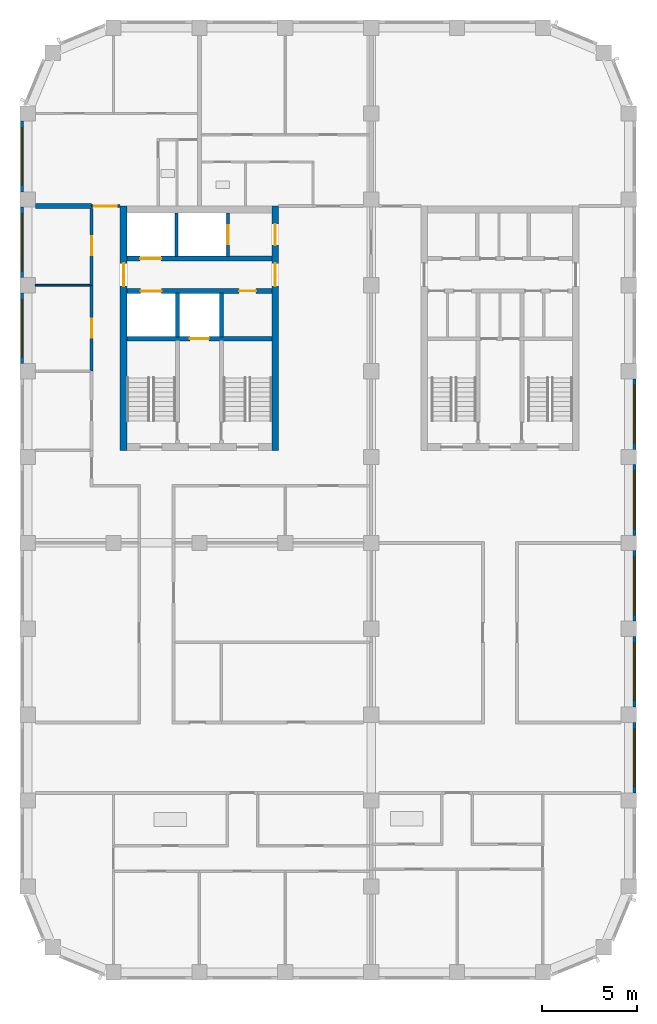
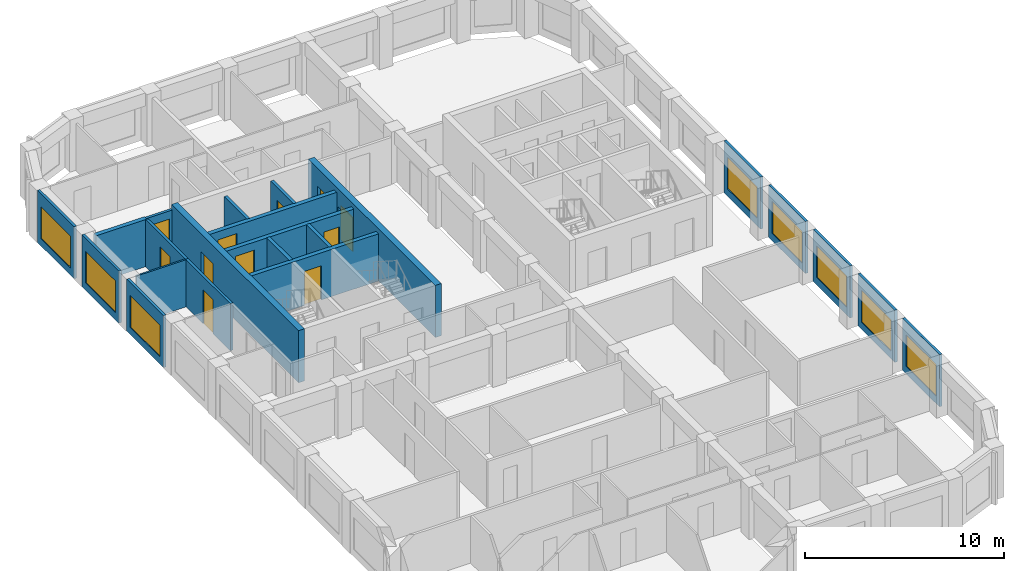
# One storey, part 5 of 10: 22 walls, 11 doors, 8 windows, 19 openings.
"""IFC4 building model written with IfcOpenShell, lengths in metres."""

from ifc_helpers import new_model, si_unit, direction, frame, frame_2d, origin, place, context, subcontext, project, spatial, rectangle, extrude, material, layer, layer_set, type_object, element, fill, save


model = new_model("IFC4")

# Units and contexts
model_context = context("Model", 3, precision=1e-05, world=origin(), true_north=direction((0.0, 1.0)))
body_context = subcontext(model_context, "Body", "Model", "MODEL_VIEW")
ifc_project = project(units=[si_unit("LENGTHUNIT", "METRE"), si_unit("AREAUNIT", "SQUARE_METRE"), si_unit("VOLUMEUNIT", "CUBIC_METRE"), si_unit("PLANEANGLEUNIT", "RADIAN"), si_unit("MASSUNIT", "GRAM", prefix="KILO")], contexts=[model_context])

# Site, building, storey
site_placement = place(None, origin())
site = spatial("IfcSite", under=ifc_project, at=site_placement, CompositionType="ELEMENT")
building_placement = place(site_placement, origin())
building = spatial("IfcBuilding", under=site, at=building_placement, Name="Girih Gate Residences", CompositionType="ELEMENT")
storey_placement = place(building_placement, frame((0.0, 0.0, 229.294921875)))
storey = spatial("IfcBuildingStorey", under=building, at=storey_placement, Name="L64", CompositionType="ELEMENT", Elevation=229.294921875)

# Wall
ifc_material_1 = material(Name="Gypsum board on steel studs", Category="steel")
ifc_layer_1 = layer(ifc_material_1, 0.25)
ifc_layer_set_1 = layer_set([ifc_layer_1], Name="Acoustic separating wall 250 mm")
wall_type_1 = type_object("IfcWallType", Name="Acoustic separating wall 250 mm", PredefinedType="PARTITIONING", material=ifc_layer_set_1)
wall_1_placement = place(storey_placement, frame((0.39990234375, 40.14990234375, 0.0), z_axis=(0.0, 0.0, 1.0), x_axis=(1.0, 0.0, 0.0)))
element("IfcWall", 1, at=wall_1_placement, inside=storey, type_object=wall_type_1, Name="L64 partition", PredefinedType="PARTITIONING", context=body_context, shape_type="SweptSolid", body=[
    extrude(rectangle(XDim=2.9501953125, YDim=0.25, at=frame_2d((1.47509765625, 0.0))), origin(), (0.0, 0.0, 1.0), 2.900146484375),
])

# Wall, opening, door
ifc_layer_2 = layer(ifc_material_1, 0.14990234375)
ifc_layer_set_2 = layer_set([ifc_layer_2], Name="Compartment wall 150 mm")
wall_type_2 = type_object("IfcWallType", Name="Compartment wall 150 mm", PredefinedType="PARTITIONING", material=ifc_layer_set_2)
wall_2_placement = place(storey_placement, frame((3.35009765625, 40.14990234375, 0.0), z_axis=(0.0, 0.0, 1.0), x_axis=(1.0, 0.0, 0.0)))
wall_2 = element("IfcWall", 2, at=wall_2_placement, inside=storey, type_object=wall_type_2, Name="L64 partition", PredefinedType="PARTITIONING", context=body_context, shape_type="SweptSolid", body=[
    extrude(rectangle(XDim=1.5, YDim=0.14990234375, at=frame_2d((0.75, 0.0))), origin(), (0.0, 0.0, 1.0), 2.900146484375),
])
opening_1_placement = place(wall_2_placement, frame((0.1298828125, 0.0, 0.0)))
opening_1 = element("IfcOpeningElement", 3, at=opening_1_placement, cuts=wall_2, Name="Opening A64-012", PredefinedType="OPENING", context=body_context, shape_type="SweptSolid", body=[
    extrude(rectangle(XDim=1.199951171875, YDim=2.39990234375, at=frame_2d((0.60009765625, 1.199951171875))), frame((0.0, 0.0849609375, 0.0), z_axis=(0.0, -1.0, 0.0), x_axis=(1.0, 0.0, 0.0)), (0.0, 0.0, 1.0), 0.169921875),
])
ifc_material_2 = material(Name="Timber, fire-rated core", Category="wood")
door_type_1 = type_object("IfcDoorType", Name="Villa entrance door 1200x2400 FD30S", OperationType="NOTDEFINED", PredefinedType="DOOR", material=ifc_material_2)
door_1_placement = place(opening_1_placement, origin())
door_1 = element("IfcDoor", 4, at=door_1_placement, inside=storey, type_object=door_type_1, Name="Door A64-012", OperationType="SINGLE_SWING_LEFT", OverallHeight=2.39990234375, OverallWidth=1.199951171875, PredefinedType="DOOR", context=body_context, shape_type="SweptSolid", body=[
    extrude(rectangle(XDim=1.199951171875, YDim=2.39990234375, at=frame_2d((0.60009765625, 1.199951171875))), frame((0.0, 0.02490234375, 0.0), z_axis=(0.0, -1.0, 0.0), x_axis=(1.0, 0.0, 0.0)), (0.0, 0.0, 1.0), 0.050048828125),
])
fill(opening_1, door_1)

wall_3_placement = place(storey_placement, frame((3.35009765625, 31.5, 0.0), z_axis=(0.0, 0.0, 1.0), x_axis=(0.0, 1.0, 0.0)))
wall_3 = element("IfcWall", 5, at=wall_3_placement, inside=storey, type_object=wall_type_2, Name="L64 partition", PredefinedType="PARTITIONING", context=body_context, shape_type="SweptSolid", body=[
    extrude(rectangle(XDim=4.5, YDim=0.14990234375, at=frame_2d((2.25, 0.0))), origin(), (0.0, 0.0, 1.0), 2.900146484375),
])
opening_2_placement = place(wall_3_placement, frame((1.75, 0.0, 0.0)))
opening_2 = element("IfcOpeningElement", 6, at=opening_2_placement, cuts=wall_3, Name="Opening A64-035", PredefinedType="OPENING", context=body_context, shape_type="SweptSolid", body=[
    extrude(rectangle(XDim=1.0, YDim=2.10009765625, at=frame_2d((0.5, 1.050048828125))), frame((0.0, 0.0849609375, 0.0), z_axis=(0.0, -1.0, 0.0), x_axis=(1.0, 0.0, 0.0)), (0.0, 0.0, 1.0), 0.169921875),
])
door_type_2 = type_object("IfcDoorType", Name="Amenity room door 1000x2100 FD30S", OperationType="NOTDEFINED", PredefinedType="DOOR", material=ifc_material_2)
door_2_placement = place(opening_2_placement, origin())
door_2 = element("IfcDoor", 7, at=door_2_placement, inside=storey, type_object=door_type_2, Name="Door A64-035", OperationType="SINGLE_SWING_RIGHT", OverallHeight=2.10009765625, OverallWidth=1.0, PredefinedType="DOOR", context=body_context, shape_type="SweptSolid", body=[
    extrude(rectangle(XDim=1.0, YDim=2.10009765625, at=frame_2d((0.5, 1.050048828125))), frame((0.0, 0.02490234375, 0.0), z_axis=(0.0, -1.0, 0.0), x_axis=(1.0, 0.0, 0.0)), (0.0, 0.0, 1.0), 0.050048828125),
])
fill(opening_2, door_2)

wall_4_placement = place(storey_placement, frame((3.35009765625, 36.0, 0.0), z_axis=(0.0, 0.0, 1.0), x_axis=(0.0, 1.0, 0.0)))
wall_4 = element("IfcWall", 8, at=wall_4_placement, inside=storey, type_object=wall_type_2, Name="L64 partition", PredefinedType="PARTITIONING", context=body_context, shape_type="SweptSolid", body=[
    extrude(rectangle(XDim=4.02490234375, YDim=0.14990234375, at=frame_2d((2.012451171875, 0.0))), origin(), (0.0, 0.0, 1.0), 2.900146484375),
])
opening_3_placement = place(wall_4_placement, frame((1.574951171875, 0.0, 0.0)))
opening_3 = element("IfcOpeningElement", 9, at=opening_3_placement, cuts=wall_4, Name="Opening A64-036", PredefinedType="OPENING", context=body_context, shape_type="SweptSolid", body=[
    extrude(rectangle(XDim=1.0, YDim=2.10009765625, at=frame_2d((0.5, 1.050048828125))), frame((0.0, 0.0849609375, 0.0), z_axis=(0.0, -1.0, 0.0), x_axis=(1.0, 0.0, 0.0)), (0.0, 0.0, 1.0), 0.169921875),
])
door_3_placement = place(opening_3_placement, origin())
door_3 = element("IfcDoor", 10, at=door_3_placement, inside=storey, type_object=door_type_2, Name="Door A64-036", OperationType="SINGLE_SWING_RIGHT", OverallHeight=2.10009765625, OverallWidth=1.0, PredefinedType="DOOR", context=body_context, shape_type="SweptSolid", body=[
    extrude(rectangle(XDim=1.0, YDim=2.10009765625, at=frame_2d((0.5, 1.050048828125))), frame((0.0, 0.02490234375, 0.0), z_axis=(0.0, -1.0, 0.0), x_axis=(1.0, 0.0, 0.0)), (0.0, 0.0, 1.0), 0.050048828125),
])
fill(opening_3, door_3)

ifc_material_3 = material(Name="Concrete C60/75", Category="concrete")
ifc_layer_3 = layer(ifc_material_3, 0.35009765625)
ifc_layer_set_3 = layer_set([ifc_layer_3], Name="Core wall RC 350 Concrete C60/75")
wall_type_3 = type_object("IfcWallType", Name="Core wall RC 350 Concrete C60/75", PredefinedType="SOLIDWALL", material=ifc_layer_set_3)
wall_5_placement = place(storey_placement, frame((5.02490234375, 27.35009765625, 0.0), z_axis=(0.0, 0.0, 1.0), x_axis=(0.0, 1.0, 0.0)))
wall_5 = element("IfcWall", 11, at=wall_5_placement, inside=storey, type_object=wall_type_3, Name="Core wall W-W L64", PredefinedType="SOLIDWALL", context=body_context, shape_type="SweptSolid", body=[
    extrude(rectangle(XDim=12.7998046875, YDim=0.35009765625, at=frame_2d((6.39990234375, 0.0))), origin(), (0.0, 0.0, 1.0), 3.2001953125),
])
opening_4_placement = place(wall_5_placement, frame((8.60009765625, 0.0, 0.0)))
opening_4 = element("IfcOpeningElement", 12, at=opening_4_placement, cuts=wall_5, Name="Opening D-L64-W-012", PredefinedType="OPENING", context=body_context, shape_type="SweptSolid", body=[
    extrude(rectangle(XDim=1.199951171875, YDim=2.10009765625, at=frame_2d((0.60009765625, 1.050048828125))), frame((0.0, 0.18505859375, 0.0), z_axis=(0.0, -1.0, 0.0), x_axis=(1.0, 0.0, 0.0)), (0.0, 0.0, 1.0), 0.3701171875),
])
ifc_material_4 = material(Name="Painted steel, fire-resisting", Category="steel")
door_type_3 = type_object("IfcDoorType", Name="Fire door 1200x2100", OperationType="SINGLE_SWING_LEFT", PredefinedType="DOOR", material=ifc_material_4)
door_4_placement = place(opening_4_placement, origin())
door_4 = element("IfcDoor", 13, at=door_4_placement, inside=storey, type_object=door_type_3, Name="L64 W core door ll-w", OperationType="SINGLE_SWING_LEFT", OverallHeight=2.10009765625, OverallWidth=1.199951171875, PredefinedType="DOOR", context=body_context, shape_type="SweptSolid", body=[
    extrude(rectangle(XDim=1.199951171875, YDim=2.10009765625, at=frame_2d((0.60009765625, 1.050048828125))), frame((0.0, 0.02490234375, 0.0), z_axis=(0.0, -1.0, 0.0), x_axis=(1.0, 0.0, 0.0)), (0.0, 0.0, 1.0), 0.050048828125),
])
fill(opening_4, door_4)

# Wall, openings, doors
wall_6_placement = place(storey_placement, frame((12.97509765625, 27.35009765625, 0.0), z_axis=(0.0, 0.0, 1.0), x_axis=(0.0, 1.0, 0.0)))
wall_6 = element("IfcWall", 14, at=wall_6_placement, inside=storey, type_object=wall_type_3, Name="Core wall W-E L64", PredefinedType="SOLIDWALL", context=body_context, shape_type="SweptSolid", body=[
    extrude(rectangle(XDim=12.7998046875, YDim=0.35009765625, at=frame_2d((6.39990234375, 0.0))), origin(), (0.0, 0.0, 1.0), 3.2001953125),
])
opening_5_placement = place(wall_6_placement, frame((10.75, 0.0, 0.0)))
opening_5 = element("IfcOpeningElement", 15, at=opening_5_placement, cuts=wall_6, Name="Opening D-L64-W-011", PredefinedType="OPENING", context=body_context, shape_type="SweptSolid", body=[
    extrude(rectangle(XDim=1.10009765625, YDim=2.10009765625, at=frame_2d((0.550048828125, 1.050048828125))), frame((0.0, 0.18505859375, 0.0), z_axis=(0.0, -1.0, 0.0), x_axis=(1.0, 0.0, 0.0)), (0.0, 0.0, 1.0), 0.3701171875),
])
opening_6_placement = place(wall_6_placement, frame((8.60009765625, 0.0, 0.0)))
opening_6 = element("IfcOpeningElement", 16, at=opening_6_placement, cuts=wall_6, Name="Opening D-L64-W-013", PredefinedType="OPENING", context=body_context, shape_type="SweptSolid", body=[
    extrude(rectangle(XDim=1.199951171875, YDim=2.10009765625, at=frame_2d((0.60009765625, 1.050048828125))), frame((0.0, 0.18505859375, 0.0), z_axis=(0.0, -1.0, 0.0), x_axis=(1.0, 0.0, 0.0)), (0.0, 0.0, 1.0), 0.3701171875),
])
door_type_4 = type_object("IfcDoorType", Name="Fire door 1100x2100", OperationType="SINGLE_SWING_LEFT", PredefinedType="DOOR", material=ifc_material_4)
door_5_placement = place(opening_5_placement, origin())
door_5 = element("IfcDoor", 17, at=door_5_placement, inside=storey, type_object=door_type_4, Name="L64 W core door ffl2-e", OperationType="SINGLE_SWING_LEFT", OverallHeight=2.10009765625, OverallWidth=1.10009765625, PredefinedType="DOOR", context=body_context, shape_type="SweptSolid", body=[
    extrude(rectangle(XDim=1.10009765625, YDim=2.10009765625, at=frame_2d((0.550048828125, 1.050048828125))), frame((0.0, 0.02490234375, 0.0), z_axis=(0.0, -1.0, 0.0), x_axis=(1.0, 0.0, 0.0)), (0.0, 0.0, 1.0), 0.050048828125),
])
fill(opening_5, door_5)
door_6_placement = place(opening_6_placement, origin())
door_6 = element("IfcDoor", 18, at=door_6_placement, inside=storey, type_object=door_type_3, Name="L64 W core door ll-e", OperationType="SINGLE_SWING_LEFT", OverallHeight=2.10009765625, OverallWidth=1.199951171875, PredefinedType="DOOR", context=body_context, shape_type="SweptSolid", body=[
    extrude(rectangle(XDim=1.199951171875, YDim=2.10009765625, at=frame_2d((0.60009765625, 1.050048828125))), frame((0.0, 0.02490234375, 0.0), z_axis=(0.0, -1.0, 0.0), x_axis=(1.0, 0.0, 0.0)), (0.0, 0.0, 1.0), 0.050048828125),
])
fill(opening_6, door_6)

# Wall, opening, door
ifc_material_5 = material(Name="Concrete C40/50", Category="concrete")
ifc_layer_4 = layer(ifc_material_5, 0.25)
ifc_layer_set_4 = layer_set([ifc_layer_4], Name="Lift shaft wall 250")
wall_type_4 = type_object("IfcWallType", Name="Lift shaft wall 250", PredefinedType="SOLIDWALL", material=ifc_layer_set_4)
wall_7_placement = place(storey_placement, frame((5.199951171875, 33.199951171875, 0.0), z_axis=(0.0, 0.0, 1.0), x_axis=(1.0, 0.0, 0.0)))
wall_7 = element("IfcWall", 19, at=wall_7_placement, inside=storey, type_object=wall_type_4, Name="L64 W core wall H1", PredefinedType="SOLIDWALL", context=body_context, shape_type="SweptSolid", body=[
    extrude(rectangle(XDim=7.60009765625, YDim=0.25, at=frame_2d((3.800048828125, 0.0))), origin(), (0.0, 0.0, 1.0), 2.900146484375),
])
opening_7_placement = place(wall_7_placement, frame((3.300048828125, 0.0, 0.0)))
opening_7 = element("IfcOpeningElement", 20, at=opening_7_placement, cuts=wall_7, Name="Opening D-L64-W-006", PredefinedType="OPENING", context=body_context, shape_type="SweptSolid", body=[
    extrude(rectangle(XDim=1.0, YDim=2.10009765625, at=frame_2d((0.5, 1.050048828125))), frame((0.0, 0.135009765625, 0.0), z_axis=(0.0, -1.0, 0.0), x_axis=(1.0, 0.0, 0.0)), (0.0, 0.0, 1.0), 0.27001953125),
])
ifc_material_6 = material(Name="Stainless steel, fire-resisting", Category="steel")
door_type_5 = type_object("IfcDoorType", Name="Firefighting lift landing door 1000x2100", OperationType="SLIDING_TO_LEFT", PredefinedType="DOOR", material=ifc_material_6)
door_7_placement = place(opening_7_placement, origin())
door_7 = element("IfcDoor", 21, at=door_7_placement, inside=storey, type_object=door_type_5, Name="L64 lift FF-W landing door", OperationType="SLIDING_TO_LEFT", OverallHeight=2.10009765625, OverallWidth=1.0, PredefinedType="DOOR", context=body_context, shape_type="SweptSolid", body=[
    extrude(rectangle(XDim=1.0, YDim=2.10009765625, at=frame_2d((0.5, 1.050048828125))), frame((0.0, 0.02490234375, 0.0), z_axis=(0.0, -1.0, 0.0), x_axis=(1.0, 0.0, 0.0)), (0.0, 0.0, 1.0), 0.050048828125),
])
fill(opening_7, door_7)

# Wall, openings, doors
wall_8_placement = place(storey_placement, frame((5.199951171875, 35.699951171875, 0.0), z_axis=(0.0, 0.0, 1.0), x_axis=(1.0, 0.0, 0.0)))
wall_8 = element("IfcWall", 22, at=wall_8_placement, inside=storey, type_object=wall_type_4, Name="L64 W core wall H2", PredefinedType="SOLIDWALL", context=body_context, shape_type="SweptSolid", body=[
    extrude(rectangle(XDim=7.60009765625, YDim=0.25, at=frame_2d((3.800048828125, 0.0))), origin(), (0.0, 0.0, 1.0), 2.900146484375),
])
opening_8_placement = place(wall_8_placement, frame((0.72509765625, 0.0, 0.0)))
opening_8 = element("IfcOpeningElement", 23, at=opening_8_placement, cuts=wall_8, Name="Opening D-L64-W-005", PredefinedType="OPENING", context=body_context, shape_type="SweptSolid", body=[
    extrude(rectangle(XDim=1.10009765625, YDim=2.39990234375, at=frame_2d((0.550048828125, 1.199951171875))), frame((0.0, 0.135009765625, 0.0), z_axis=(0.0, -1.0, 0.0), x_axis=(1.0, 0.0, 0.0)), (0.0, 0.0, 1.0), 0.27001953125),
])
opening_9_placement = place(wall_8_placement, frame((5.875, 0.0, 0.0)))
opening_9 = element("IfcOpeningElement", 24, at=opening_9_placement, cuts=wall_8, Name="Opening D-L64-W-007", PredefinedType="OPENING", context=body_context, shape_type="SweptSolid", body=[
    extrude(rectangle(XDim=0.89990234375, YDim=2.10009765625, at=frame_2d((0.449951171875, 1.050048828125))), frame((0.0, 0.135009765625, 0.0), z_axis=(0.0, -1.0, 0.0), x_axis=(1.0, 0.0, 0.0)), (0.0, 0.0, 1.0), 0.27001953125),
])
door_type_6 = type_object("IfcDoorType", Name="Fire door 900x2100", OperationType="SINGLE_SWING_LEFT", PredefinedType="DOOR", material=ifc_material_4)
door_8_placement = place(opening_9_placement, origin())
door_8 = element("IfcDoor", 25, at=door_8_placement, inside=storey, type_object=door_type_6, Name="L64 W refuse store door", OperationType="SINGLE_SWING_LEFT", OverallHeight=2.10009765625, OverallWidth=0.89990234375, PredefinedType="DOOR", context=body_context, shape_type="SweptSolid", body=[
    extrude(rectangle(XDim=0.89990234375, YDim=2.10009765625, at=frame_2d((0.449951171875, 1.050048828125))), frame((0.0, 0.02490234375, 0.0), z_axis=(0.0, -1.0, 0.0), x_axis=(1.0, 0.0, 0.0)), (0.0, 0.0, 1.0), 0.050048828125),
])
fill(opening_9, door_8)
ifc_material_7 = material(Name="Stainless steel", Category="steel")
door_type_7 = type_object("IfcDoorType", Name="Lift landing door 1100x2400", OperationType="SLIDING_TO_LEFT", PredefinedType="DOOR", material=ifc_material_7)
door_9_placement = place(opening_8_placement, origin())
door_9 = element("IfcDoor", 26, at=door_9_placement, inside=storey, type_object=door_type_7, Name="L64 lift HR-W1 landing door", OperationType="SLIDING_TO_LEFT", OverallHeight=2.39990234375, OverallWidth=1.10009765625, PredefinedType="DOOR", context=body_context, shape_type="SweptSolid", body=[
    extrude(rectangle(XDim=1.10009765625, YDim=2.39990234375, at=frame_2d((0.550048828125, 1.199951171875))), frame((0.0, 0.02490234375, 0.0), z_axis=(0.0, -1.0, 0.0), x_axis=(1.0, 0.0, 0.0)), (0.0, 0.0, 1.0), 0.050048828125),
])
fill(opening_8, door_9)

# Wall, opening, door
wall_9_placement = place(storey_placement, frame((5.199951171875, 37.39990234375, 0.0), z_axis=(0.0, 0.0, 1.0), x_axis=(1.0, 0.0, 0.0)))
wall_9 = element("IfcWall", 27, at=wall_9_placement, inside=storey, type_object=wall_type_4, Name="L64 W core wall H3", PredefinedType="SOLIDWALL", context=body_context, shape_type="SweptSolid", body=[
    extrude(rectangle(XDim=7.60009765625, YDim=0.25, at=frame_2d((3.800048828125, 0.0))), origin(), (0.0, 0.0, 1.0), 2.900146484375),
])
opening_10_placement = place(wall_9_placement, frame((0.699951171875, 0.0, 0.0)))
opening_10 = element("IfcOpeningElement", 28, at=opening_10_placement, cuts=wall_9, Name="Opening D-L64-W-003", PredefinedType="OPENING", context=body_context, shape_type="SweptSolid", body=[
    extrude(rectangle(XDim=1.10009765625, YDim=2.39990234375, at=frame_2d((0.550048828125, 1.199951171875))), frame((0.0, 0.135009765625, 0.0), z_axis=(0.0, -1.0, 0.0), x_axis=(1.0, 0.0, 0.0)), (0.0, 0.0, 1.0), 0.27001953125),
])
door_10_placement = place(opening_10_placement, origin())
door_10 = element("IfcDoor", 29, at=door_10_placement, inside=storey, type_object=door_type_7, Name="L64 lift LR-W1 landing door", OperationType="SLIDING_TO_LEFT", OverallHeight=2.39990234375, OverallWidth=1.10009765625, PredefinedType="DOOR", context=body_context, shape_type="SweptSolid", body=[
    extrude(rectangle(XDim=1.10009765625, YDim=2.39990234375, at=frame_2d((0.550048828125, 1.199951171875))), frame((0.0, 0.02490234375, 0.0), z_axis=(0.0, -1.0, 0.0), x_axis=(1.0, 0.0, 0.0)), (0.0, 0.0, 1.0), 0.050048828125),
])
fill(opening_10, door_10)

# Wall
ifc_layer_5 = layer(ifc_material_1, 0.10009765625)
ifc_layer_set_5 = layer_set([ifc_layer_5], Name="Partition 100 mm")
wall_type_5 = type_object("IfcWallType", Name="Partition 100 mm", PredefinedType="PARTITIONING", material=ifc_layer_set_5)
wall_10_placement = place(storey_placement, frame((0.39990234375, 36.0, 0.0), z_axis=(0.0, 0.0, 1.0), x_axis=(1.0, 0.0, 0.0)))
element("IfcWall", 30, at=wall_10_placement, inside=storey, type_object=wall_type_5, Name="L64 partition", PredefinedType="PARTITIONING", context=body_context, shape_type="SweptSolid", body=[
    extrude(rectangle(XDim=2.875, YDim=0.10009765625, at=frame_2d((1.4375, 0.0))), origin(), (0.0, 0.0, 1.0), 2.900146484375),
])

# Wall, opening, window
ifc_material_8 = material(Name="Precast concrete C50/60", Category="concrete")
ifc_layer_6 = layer(ifc_material_8, 0.050048828125, Name="Outer leaf")
ifc_material_9 = material(Name="Rigid PIR insulation")
ifc_layer_7 = layer(ifc_material_9, 0.06005859375, Name="Insulation")
ifc_material_10 = material(Name="Precast concrete C40/50", Category="concrete")
ifc_layer_8 = layer(ifc_material_10, 0.0400390625, Name="Inner leaf")
ifc_layer_set_6 = layer_set([ifc_layer_6, ifc_layer_7, ifc_layer_8], Name="Precast concrete C50/60 external wall 150")
wall_type_6 = type_object("IfcWallType", Name="Precast concrete C50/60 external wall 150", PredefinedType="SOLIDWALL", material=ifc_layer_set_6)
wall_11_placement = place(storey_placement, frame((31.800048828125, 13.10009765625, 0.0), z_axis=(0.0, 0.0, 1.0), x_axis=(0.0, -1.0, 0.0)))
wall_11 = element("IfcWall", 31, at=wall_11_placement, inside=storey, type_object=wall_type_6, Name="External wall E0315_0045.1", PredefinedType="SOLIDWALL", context=body_context, shape_type="SweptSolid", body=[
    extrude(rectangle(XDim=3.7001953125, YDim=0.14990234375, at=frame_2d((1.85009765625, 0.0))), origin(), (0.0, 0.0, 1.0), 3.2001953125),
])
opening_11_placement = place(wall_11_placement, frame((0.35009765625, 0.0, 0.449951171875)))
opening_11 = element("IfcOpeningElement", 32, at=opening_11_placement, cuts=wall_11, Name="Opening W-1D", PredefinedType="OPENING", context=body_context, shape_type="SweptSolid", body=[
    extrude(rectangle(XDim=3.0, YDim=1.949951171875, at=frame_2d((1.5, 0.97509765625))), frame((0.0, 0.0849609375, 0.0), z_axis=(0.0, -1.0, 0.0), x_axis=(1.0, 0.0, 0.0)), (0.0, 0.0, 1.0), 0.169921875),
])
ifc_material_11 = material(Name="Double glazing in aluminium frame", Category="aluminium")
window_type = type_object("IfcWindowType", Name="Window W-1D 3000x1950", PartitioningType="SINGLE_PANEL", PredefinedType="WINDOW", material=ifc_material_11)
window_1_placement = place(opening_11_placement, origin())
window_1 = element("IfcWindow", 33, at=window_1_placement, inside=storey, type_object=window_type, Name="Window W-1D E0315_0045.1", OverallHeight=1.949951171875, OverallWidth=3.0, PartitioningType="SINGLE_PANEL", PredefinedType="WINDOW", context=body_context, shape_type="SweptSolid", body=[
    extrude(rectangle(XDim=3.0, YDim=1.949951171875, at=frame_2d((1.5, 0.97509765625))), frame((0.0, 0.030029296875, 0.0), z_axis=(0.0, -1.0, 0.0), x_axis=(1.0, 0.0, 0.0)), (0.0, 0.0, 1.0), 0.06005859375),
])
fill(opening_11, window_1)

wall_12_placement = place(storey_placement, frame((31.800048828125, 17.60009765625, 0.0), z_axis=(0.0, 0.0, 1.0), x_axis=(0.0, -1.0, 0.0)))
wall_12 = element("IfcWall", 34, at=wall_12_placement, inside=storey, type_object=wall_type_6, Name="External wall E0315_0045.2", PredefinedType="SOLIDWALL", context=body_context, shape_type="SweptSolid", body=[
    extrude(rectangle(XDim=3.7001953125, YDim=0.14990234375, at=frame_2d((1.85009765625, 0.0))), origin(), (0.0, 0.0, 1.0), 3.2001953125),
])
opening_12_placement = place(wall_12_placement, frame((0.35009765625, 0.0, 0.449951171875)))
opening_12 = element("IfcOpeningElement", 35, at=opening_12_placement, cuts=wall_12, Name="Opening W-1D", PredefinedType="OPENING", context=body_context, shape_type="SweptSolid", body=[
    extrude(rectangle(XDim=3.0, YDim=1.949951171875, at=frame_2d((1.5, 0.97509765625))), frame((0.0, 0.0849609375, 0.0), z_axis=(0.0, -1.0, 0.0), x_axis=(1.0, 0.0, 0.0)), (0.0, 0.0, 1.0), 0.169921875),
])
window_2_placement = place(opening_12_placement, origin())
window_2 = element("IfcWindow", 36, at=window_2_placement, inside=storey, type_object=window_type, Name="Window W-1D E0315_0045.2", OverallHeight=1.949951171875, OverallWidth=3.0, PartitioningType="SINGLE_PANEL", PredefinedType="WINDOW", context=body_context, shape_type="SweptSolid", body=[
    extrude(rectangle(XDim=3.0, YDim=1.949951171875, at=frame_2d((1.5, 0.97509765625))), frame((0.0, 0.030029296875, 0.0), z_axis=(0.0, -1.0, 0.0), x_axis=(1.0, 0.0, 0.0)), (0.0, 0.0, 1.0), 0.06005859375),
])
fill(opening_12, window_2)

wall_13_placement = place(storey_placement, frame((31.800048828125, 22.10009765625, 0.0), z_axis=(0.0, 0.0, 1.0), x_axis=(0.0, -1.0, 0.0)))
wall_13 = element("IfcWall", 37, at=wall_13_placement, inside=storey, type_object=wall_type_6, Name="External wall E0315_0045.3", PredefinedType="SOLIDWALL", context=body_context, shape_type="SweptSolid", body=[
    extrude(rectangle(XDim=3.7001953125, YDim=0.14990234375, at=frame_2d((1.85009765625, 0.0))), origin(), (0.0, 0.0, 1.0), 3.2001953125),
])
opening_13_placement = place(wall_13_placement, frame((0.35009765625, 0.0, 0.449951171875)))
opening_13 = element("IfcOpeningElement", 38, at=opening_13_placement, cuts=wall_13, Name="Opening W-1D", PredefinedType="OPENING", context=body_context, shape_type="SweptSolid", body=[
    extrude(rectangle(XDim=3.0, YDim=1.949951171875, at=frame_2d((1.5, 0.97509765625))), frame((0.0, 0.0849609375, 0.0), z_axis=(0.0, -1.0, 0.0), x_axis=(1.0, 0.0, 0.0)), (0.0, 0.0, 1.0), 0.169921875),
])
window_3_placement = place(opening_13_placement, origin())
window_3 = element("IfcWindow", 39, at=window_3_placement, inside=storey, type_object=window_type, Name="Window W-1D E0315_0045.3", OverallHeight=1.949951171875, OverallWidth=3.0, PartitioningType="SINGLE_PANEL", PredefinedType="WINDOW", context=body_context, shape_type="SweptSolid", body=[
    extrude(rectangle(XDim=3.0, YDim=1.949951171875, at=frame_2d((1.5, 0.97509765625))), frame((0.0, 0.030029296875, 0.0), z_axis=(0.0, -1.0, 0.0), x_axis=(1.0, 0.0, 0.0)), (0.0, 0.0, 1.0), 0.06005859375),
])
fill(opening_13, window_3)

wall_14_placement = place(storey_placement, frame((31.800048828125, 26.60009765625, 0.0), z_axis=(0.0, 0.0, 1.0), x_axis=(0.0, -1.0, 0.0)))
wall_14 = element("IfcWall", 40, at=wall_14_placement, inside=storey, type_object=wall_type_6, Name="External wall E0315_0045.4", PredefinedType="SOLIDWALL", context=body_context, shape_type="SweptSolid", body=[
    extrude(rectangle(XDim=3.7001953125, YDim=0.14990234375, at=frame_2d((1.85009765625, 0.0))), origin(), (0.0, 0.0, 1.0), 3.2001953125),
])
opening_14_placement = place(wall_14_placement, frame((0.35009765625, 0.0, 0.449951171875)))
opening_14 = element("IfcOpeningElement", 41, at=opening_14_placement, cuts=wall_14, Name="Opening W-1D", PredefinedType="OPENING", context=body_context, shape_type="SweptSolid", body=[
    extrude(rectangle(XDim=3.0, YDim=1.949951171875, at=frame_2d((1.5, 0.97509765625))), frame((0.0, 0.0849609375, 0.0), z_axis=(0.0, -1.0, 0.0), x_axis=(1.0, 0.0, 0.0)), (0.0, 0.0, 1.0), 0.169921875),
])
window_4_placement = place(opening_14_placement, origin())
window_4 = element("IfcWindow", 42, at=window_4_placement, inside=storey, type_object=window_type, Name="Window W-1D E0315_0045.4", OverallHeight=1.949951171875, OverallWidth=3.0, PartitioningType="SINGLE_PANEL", PredefinedType="WINDOW", context=body_context, shape_type="SweptSolid", body=[
    extrude(rectangle(XDim=3.0, YDim=1.949951171875, at=frame_2d((1.5, 0.97509765625))), frame((0.0, 0.030029296875, 0.0), z_axis=(0.0, -1.0, 0.0), x_axis=(1.0, 0.0, 0.0)), (0.0, 0.0, 1.0), 0.06005859375),
])
fill(opening_14, window_4)

wall_15_placement = place(storey_placement, frame((31.800048828125, 31.10009765625, 0.0), z_axis=(0.0, 0.0, 1.0), x_axis=(0.0, -1.0, 0.0)))
wall_15 = element("IfcWall", 43, at=wall_15_placement, inside=storey, type_object=wall_type_6, Name="External wall E0315_0045.5", PredefinedType="SOLIDWALL", context=body_context, shape_type="SweptSolid", body=[
    extrude(rectangle(XDim=3.7001953125, YDim=0.14990234375, at=frame_2d((1.85009765625, 0.0))), origin(), (0.0, 0.0, 1.0), 3.2001953125),
])
opening_15_placement = place(wall_15_placement, frame((0.35009765625, 0.0, 0.449951171875)))
opening_15 = element("IfcOpeningElement", 44, at=opening_15_placement, cuts=wall_15, Name="Opening W-1D", PredefinedType="OPENING", context=body_context, shape_type="SweptSolid", body=[
    extrude(rectangle(XDim=3.0, YDim=1.949951171875, at=frame_2d((1.5, 0.97509765625))), frame((0.0, 0.0849609375, 0.0), z_axis=(0.0, -1.0, 0.0), x_axis=(1.0, 0.0, 0.0)), (0.0, 0.0, 1.0), 0.169921875),
])
window_5_placement = place(opening_15_placement, origin())
window_5 = element("IfcWindow", 45, at=window_5_placement, inside=storey, type_object=window_type, Name="Window W-1D E0315_0045.5", OverallHeight=1.949951171875, OverallWidth=3.0, PartitioningType="SINGLE_PANEL", PredefinedType="WINDOW", context=body_context, shape_type="SweptSolid", body=[
    extrude(rectangle(XDim=3.0, YDim=1.949951171875, at=frame_2d((1.5, 0.97509765625))), frame((0.0, 0.030029296875, 0.0), z_axis=(0.0, -1.0, 0.0), x_axis=(1.0, 0.0, 0.0)), (0.0, 0.0, 1.0), 0.06005859375),
])
fill(opening_15, window_5)

wall_16_placement = place(storey_placement, frame((-0.300048828125, 40.89990234375, 0.0), z_axis=(0.0, 0.0, 1.0), x_axis=(0.0, 1.0, 0.0)))
wall_16 = element("IfcWall", 46, at=wall_16_placement, inside=storey, type_object=wall_type_6, Name="External wall W0000_0450.0", PredefinedType="SOLIDWALL", context=body_context, shape_type="SweptSolid", body=[
    extrude(rectangle(XDim=3.7001953125, YDim=0.14990234375, at=frame_2d((1.85009765625, 0.0))), origin(), (0.0, 0.0, 1.0), 3.2001953125),
])
opening_16_placement = place(wall_16_placement, frame((0.35009765625, 0.0, 0.449951171875)))
opening_16 = element("IfcOpeningElement", 47, at=opening_16_placement, cuts=wall_16, Name="Opening W-1D", PredefinedType="OPENING", context=body_context, shape_type="SweptSolid", body=[
    extrude(rectangle(XDim=3.0, YDim=1.949951171875, at=frame_2d((1.5, 0.97509765625))), frame((0.0, 0.0849609375, 0.0), z_axis=(0.0, -1.0, 0.0), x_axis=(1.0, 0.0, 0.0)), (0.0, 0.0, 1.0), 0.169921875),
])
window_6_placement = place(opening_16_placement, origin())
window_6 = element("IfcWindow", 48, at=window_6_placement, inside=storey, type_object=window_type, Name="Window W-1D W0000_0450.0", OverallHeight=1.949951171875, OverallWidth=3.0, PartitioningType="SINGLE_PANEL", PredefinedType="WINDOW", context=body_context, shape_type="SweptSolid", body=[
    extrude(rectangle(XDim=3.0, YDim=1.949951171875, at=frame_2d((1.5, 0.97509765625))), frame((0.0, 0.030029296875, 0.0), z_axis=(0.0, -1.0, 0.0), x_axis=(1.0, 0.0, 0.0)), (0.0, 0.0, 1.0), 0.06005859375),
])
fill(opening_16, window_6)

wall_17_placement = place(storey_placement, frame((-0.300048828125, 36.39990234375, 0.0), z_axis=(0.0, 0.0, 1.0), x_axis=(0.0, 1.0, 0.0)))
wall_17 = element("IfcWall", 49, at=wall_17_placement, inside=storey, type_object=wall_type_6, Name="External wall W0000_0450.1", PredefinedType="SOLIDWALL", context=body_context, shape_type="SweptSolid", body=[
    extrude(rectangle(XDim=3.7001953125, YDim=0.14990234375, at=frame_2d((1.85009765625, 0.0))), origin(), (0.0, 0.0, 1.0), 3.2001953125),
])
opening_17_placement = place(wall_17_placement, frame((0.35009765625, 0.0, 0.449951171875)))
opening_17 = element("IfcOpeningElement", 50, at=opening_17_placement, cuts=wall_17, Name="Opening W-1D", PredefinedType="OPENING", context=body_context, shape_type="SweptSolid", body=[
    extrude(rectangle(XDim=3.0, YDim=1.949951171875, at=frame_2d((1.5, 0.97509765625))), frame((0.0, 0.0849609375, 0.0), z_axis=(0.0, -1.0, 0.0), x_axis=(1.0, 0.0, 0.0)), (0.0, 0.0, 1.0), 0.169921875),
])
window_7_placement = place(opening_17_placement, origin())
window_7 = element("IfcWindow", 51, at=window_7_placement, inside=storey, type_object=window_type, Name="Window W-1D W0000_0450.1", OverallHeight=1.949951171875, OverallWidth=3.0, PartitioningType="SINGLE_PANEL", PredefinedType="WINDOW", context=body_context, shape_type="SweptSolid", body=[
    extrude(rectangle(XDim=3.0, YDim=1.949951171875, at=frame_2d((1.5, 0.97509765625))), frame((0.0, 0.030029296875, 0.0), z_axis=(0.0, -1.0, 0.0), x_axis=(1.0, 0.0, 0.0)), (0.0, 0.0, 1.0), 0.06005859375),
])
fill(opening_17, window_7)

wall_18_placement = place(storey_placement, frame((-0.300048828125, 31.89990234375, 0.0), z_axis=(0.0, 0.0, 1.0), x_axis=(0.0, 1.0, 0.0)))
wall_18 = element("IfcWall", 52, at=wall_18_placement, inside=storey, type_object=wall_type_6, Name="External wall W0000_0450.2", PredefinedType="SOLIDWALL", context=body_context, shape_type="SweptSolid", body=[
    extrude(rectangle(XDim=3.7001953125, YDim=0.14990234375, at=frame_2d((1.85009765625, 0.0))), origin(), (0.0, 0.0, 1.0), 3.2001953125),
])
opening_18_placement = place(wall_18_placement, frame((0.35009765625, 0.0, 0.449951171875)))
opening_18 = element("IfcOpeningElement", 53, at=opening_18_placement, cuts=wall_18, Name="Opening W-1D", PredefinedType="OPENING", context=body_context, shape_type="SweptSolid", body=[
    extrude(rectangle(XDim=3.0, YDim=1.949951171875, at=frame_2d((1.5, 0.97509765625))), frame((0.0, 0.0849609375, 0.0), z_axis=(0.0, -1.0, 0.0), x_axis=(1.0, 0.0, 0.0)), (0.0, 0.0, 1.0), 0.169921875),
])
window_8_placement = place(opening_18_placement, origin())
window_8 = element("IfcWindow", 54, at=window_8_placement, inside=storey, type_object=window_type, Name="Window W-1D W0000_0450.2", OverallHeight=1.949951171875, OverallWidth=3.0, PartitioningType="SINGLE_PANEL", PredefinedType="WINDOW", context=body_context, shape_type="SweptSolid", body=[
    extrude(rectangle(XDim=3.0, YDim=1.949951171875, at=frame_2d((1.5, 0.97509765625))), frame((0.0, 0.030029296875, 0.0), z_axis=(0.0, -1.0, 0.0), x_axis=(1.0, 0.0, 0.0)), (0.0, 0.0, 1.0), 0.06005859375),
])
fill(opening_18, window_8)

# Wall
ifc_layer_9 = layer(ifc_material_5, 0.175048828125)
ifc_layer_set_7 = layer_set([ifc_layer_9], Name="Riser shaft wall 175")
wall_type_7 = type_object("IfcWallType", Name="Riser shaft wall 175", PredefinedType="SOLIDWALL", material=ifc_layer_set_7)
wall_19_placement = place(storey_placement, frame((7.800048828125, 37.5, 0.0), z_axis=(0.0, 0.0, 1.0), x_axis=(0.0, 1.0, 0.0)))
element("IfcWall", 55, at=wall_19_placement, inside=storey, type_object=wall_type_7, Name="L64 W core wall V1c", PredefinedType="SOLIDWALL", context=body_context, shape_type="SweptSolid", body=[
    extrude(rectangle(XDim=2.300048828125, YDim=0.175048828125, at=frame_2d((1.14990234375, 0.0))), origin(), (0.0, 0.0, 1.0), 2.900146484375),
])

# Wall, opening, door
wall_20_placement = place(storey_placement, frame((10.5, 37.5, 0.0), z_axis=(0.0, 0.0, 1.0), x_axis=(0.0, 1.0, 0.0)))
wall_20 = element("IfcWall", 56, at=wall_20_placement, inside=storey, type_object=wall_type_7, Name="L64 W core wall V2c", PredefinedType="SOLIDWALL", context=body_context, shape_type="SweptSolid", body=[
    extrude(rectangle(XDim=2.300048828125, YDim=0.175048828125, at=frame_2d((1.14990234375, 0.0))), origin(), (0.0, 0.0, 1.0), 2.900146484375),
])
opening_19_placement = place(wall_20_placement, frame((0.64990234375, 0.0, 0.0)))
opening_19 = element("IfcOpeningElement", 57, at=opening_19_placement, cuts=wall_20, Name="Opening D-L64-W-004", PredefinedType="OPENING", context=body_context, shape_type="SweptSolid", body=[
    extrude(rectangle(XDim=1.0, YDim=2.10009765625, at=frame_2d((0.5, 1.050048828125))), frame((0.0, 0.097412109375, 0.0), z_axis=(0.0, -1.0, 0.0), x_axis=(1.0, 0.0, 0.0)), (0.0, 0.0, 1.0), 0.195068359375),
])
door_11_placement = place(opening_19_placement, origin())
door_11 = element("IfcDoor", 58, at=door_11_placement, inside=storey, type_object=door_type_5, Name="L64 lift FF-W2 landing door", OperationType="SLIDING_TO_LEFT", OverallHeight=2.10009765625, OverallWidth=1.0, PredefinedType="DOOR", context=body_context, shape_type="SweptSolid", body=[
    extrude(rectangle(XDim=1.0, YDim=2.10009765625, at=frame_2d((0.5, 1.050048828125))), frame((0.0, 0.02490234375, 0.0), z_axis=(0.0, -1.0, 0.0), x_axis=(1.0, 0.0, 0.0)), (0.0, 0.0, 1.0), 0.050048828125),
])
fill(opening_19, door_11)

# Walls
ifc_layer_10 = layer(ifc_material_5, 0.199951171875)
ifc_layer_set_8 = layer_set([ifc_layer_10], Name="Shaft wall 200")
wall_type_8 = type_object("IfcWallType", Name="Shaft wall 200", PredefinedType="SOLIDWALL", material=ifc_layer_set_8)
for number, where, z_axis, x_axis, name in (
    (59, (7.85009765625, 33.300048828125, 0.0), (0.0, 0.0, 1.0), (0.0, 1.0, 0.0), "L64 W core wall V1b"),
    (60, (10.14990234375, 33.300048828125, 0.0), (0.0, 0.0, 1.0), (0.0, 1.0, 0.0), "L64 W core wall V2b"),
):
    element("IfcWall", number, at=place(storey_placement, frame(where, z_axis=z_axis, x_axis=x_axis)), inside=storey, type_object=wall_type_8, Name=name, PredefinedType="SOLIDWALL", context=body_context, shape_type="SweptSolid", body=[
        extrude(rectangle(XDim=2.300048828125, YDim=0.199951171875, at=frame_2d((1.14990234375, 0.0))), origin(), (0.0, 0.0, 1.0), 2.900146484375),
    ])

save(model, "model.ifc")
